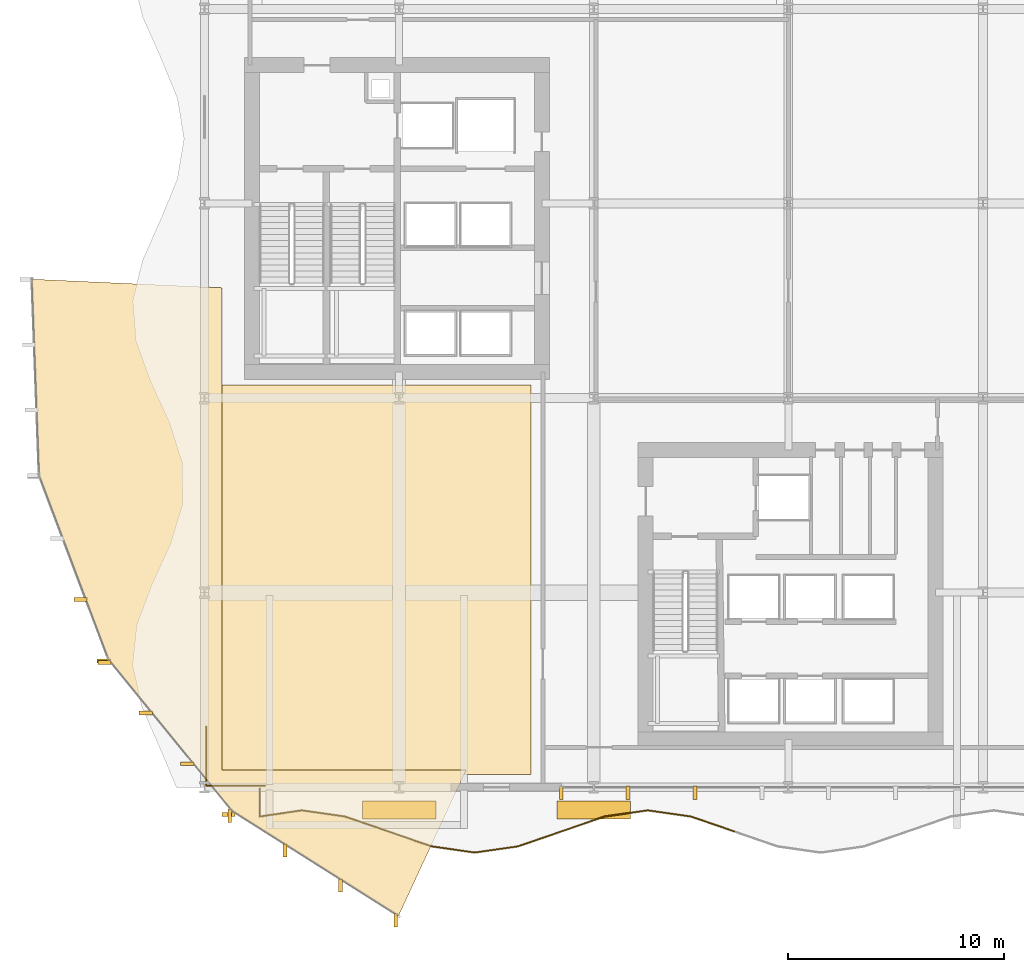
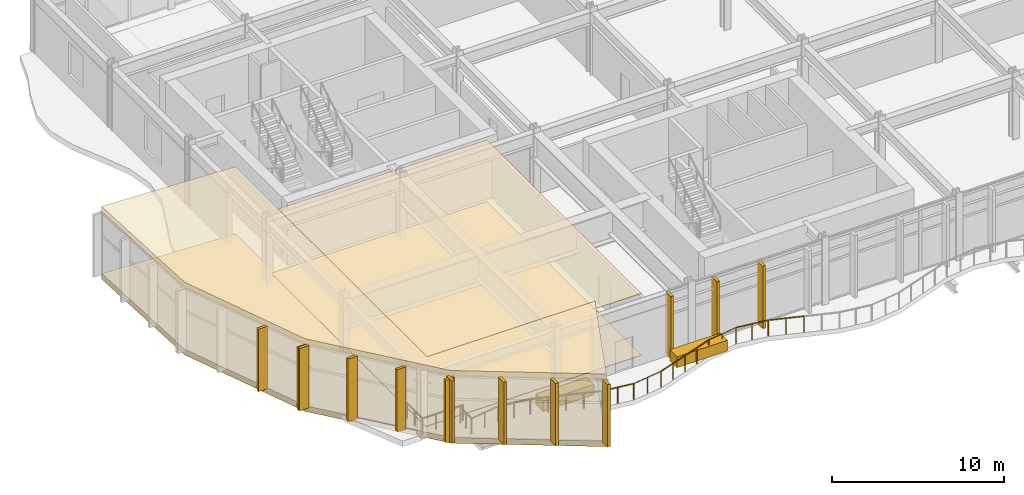
# One storey, part 24 of 31: 19 coverings, 14 railings.
"""IFC4 building model written with IfcOpenShell, lengths in metres."""

from ifc_helpers import new_model, si_unit, direction, frame, origin, origin_2d, place, context, subcontext, project, spatial, polyline, rectangle, circle, outline, extrude, material, layer, layer_set, type_object, element, save


model = new_model("IFC4")

# Units and contexts
model_context = context("Model", 3, precision=1e-05, world=origin(), true_north=direction((0.0, 1.0)))
body_context = subcontext(model_context, "Body", "Model", "MODEL_VIEW")
ifc_project = project(units=[si_unit("LENGTHUNIT", "METRE"), si_unit("AREAUNIT", "SQUARE_METRE"), si_unit("VOLUMEUNIT", "CUBIC_METRE"), si_unit("PLANEANGLEUNIT", "RADIAN"), si_unit("MASSUNIT", "GRAM", prefix="KILO")], contexts=[model_context])

# Site, building, storey
site_placement = place(None, origin())
site = spatial("IfcSite", under=ifc_project, at=site_placement, CompositionType="ELEMENT")
building_placement = place(site_placement, origin())
building = spatial("IfcBuilding", under=site, at=building_placement, Name="Solvaryn Broadcast Tower", CompositionType="ELEMENT")
storey_placement = place(building_placement, frame((0.0, 0.0, 26.0)))
storey = spatial("IfcBuildingStorey", under=building, at=storey_placement, Name="L05", CompositionType="ELEMENT", Elevation=26.0)

# Coverings
ifc_material_1 = material(Name="Studio Acoustic Mineral-Wool Baffle Ceiling", Category="concrete")
ifc_layer_1 = layer(ifc_material_1, 0.06005859375)
ifc_layer_set_1 = layer_set([ifc_layer_1], Name="CV-CEIL-BAFFLE")
covering_type_1 = type_object("IfcCoveringType", Name="CV-CEIL-BAFFLE", PredefinedType="CEILING", material=ifc_layer_set_1)
covering_1_placement = place(storey_placement, frame((0.0, 0.0, 4.39990234375)))
element("IfcCovering", 1, at=covering_1_placement, inside=storey, type_object=covering_type_1, Name="L05 Room Acoustic Ceiling 1", PredefinedType="CEILING", context=body_context, shape_type="SweptSolid", body=[
    extrude(outline(polyline([(9.60009765625, 9.60009765625), (24.10009765625, 9.60009765625), (24.10009765625, 27.60009765625), (9.60009765625, 27.60009765625), (9.60009765625, 9.60009765625)])), origin(), (0.0, 0.0, 1.0), 0.0400390625),
])
ifc_material_2 = material(Name="Isolated Broadcast Studio Floating Acoustic Floor", Category="concrete")
ifc_layer_2 = layer(ifc_material_2, 0.080078125)
ifc_layer_set_2 = layer_set([ifc_layer_2], Name="CV-FLOOR-STUDIO")
covering_type_2 = type_object("IfcCoveringType", Name="CV-FLOOR-STUDIO", PredefinedType="FLOORING", material=ifc_layer_set_2)
covering_2_placement = place(storey_placement, origin())
element("IfcCovering", 2, at=covering_2_placement, inside=storey, type_object=covering_type_2, Name="L05 Room Acoustic Floor Finish 1", PredefinedType="FLOORING", context=body_context, shape_type="SweptSolid", body=[
    extrude(outline(polyline([(9.60009765625, 9.60009765625), (24.10009765625, 9.60009765625), (24.10009765625, 27.60009765625), (9.60009765625, 27.60009765625), (9.60009765625, 9.60009765625)])), origin(), (0.0, 0.0, 1.0), 0.050048828125),
])
ifc_material_3 = material(Name="Glazed Architectural Terracotta Rainscreen Cladding", Category="masonry")
ifc_layer_3 = layer(ifc_material_3, 0.280029296875)
ifc_layer_set_3 = layer_set([ifc_layer_3], Name="CV-TC-CLAD")
covering_type_3 = type_object("IfcCoveringType", Name="CV-TC-CLAD", PredefinedType="CLADDING", material=ifc_layer_set_3)
for number, where, z_axis, x_axis, name in (
    (3, (18.0, 7.949951171875, 0.0), (0.0, 0.0, 1.0), (1.0, 0.0, 0.0), "L05 Sky-Garden Planter Bed 1"),
    (4, (27.0, 7.949951171875, 0.0), (0.0, 0.0, 1.0), (1.0, 0.0, 0.0), "L05 Sky-Garden Planter Bed 2"),
):
    element("IfcCovering", number, at=place(storey_placement, frame(where, z_axis=z_axis, x_axis=x_axis)), inside=storey, type_object=covering_type_3, Name=name, PredefinedType="CLADDING", context=body_context, shape_type="SweptSolid", body=[
        extrude(rectangle(XDim=3.39990234375, YDim=0.85009765625, at=origin_2d()), origin(), (0.0, 0.0, 1.0), 0.760009765625),
    ])
ifc_material_4 = material(Name="Extruded Architectural Terracotta Fin", Category="masonry")
ifc_layer_4 = layer(ifc_material_4, 0.179931640625)
ifc_layer_set_4 = layer_set([ifc_layer_4], Name="CV-TC-FIN")
covering_type_4 = type_object("IfcCoveringType", Name="CV-TC-FIN", PredefinedType="USERDEFINED", material=ifc_layer_set_4)
for number, where, z_axis, x_axis, name in (
    (5, (31.681884765625, 8.75, 0.0), (0.0, 0.0, 1.0), (1.0, 0.0, 0.0), "L05 Terracotta Vertical Fin FIN-POD-L05-S1-09"),
    (6, (28.5908203125, 8.75, 0.0), (0.0, 0.0, 1.0), (1.0, 0.0, 0.0), "L05 Terracotta Vertical Fin FIN-POD-L05-S1-10"),
    (7, (25.5, 8.75, 0.0), (0.0, 0.0, 1.0), (1.0, 0.0, 0.0), "L05 Terracotta Vertical Fin FIN-POD-L05-S1-11"),
):
    element("IfcCovering", number, at=place(storey_placement, frame(where, z_axis=z_axis, x_axis=x_axis)), inside=storey, type_object=covering_type_4, Name=name, ObjectType="FIN", PredefinedType="USERDEFINED", context=body_context, shape_type="SweptSolid", body=[
        extrude(rectangle(XDim=0.179931640625, YDim=0.6201171875, at=origin_2d()), origin(), (0.0, 0.0, 1.0), 4.43994140625),
    ])
for number, where, z_axis, x_axis, name in (
    (8, (3.26708984375, 17.67822265625, 0.0), (0.0, 0.0, 1.0), (1.0, 0.0, 0.0), "L05 Terracotta Vertical Fin FIN-POD-L05-DC2-02"),
    (9, (4.3349609375, 14.846923828125, 0.0), (0.0, 0.0, 1.0), (1.0, 0.0, 0.0), "L05 Terracotta Vertical Fin FIN-POD-L05-DC2-03"),
    (10, (4.3740234375, 14.780029296875, 0.0), (0.0, 0.0, 1.0), (1.0, 0.0, 0.0), "L05 Terracotta Vertical Fin FIN-POD-L05-DC3-00"),
    (11, (6.285888671875, 12.434814453125, 0.0), (0.0, 0.0, 1.0), (1.0, 0.0, 0.0), "L05 Terracotta Vertical Fin FIN-POD-L05-DC3-01"),
    (12, (8.197998046875, 10.08935546875, 0.0), (0.0, 0.0, 1.0), (1.0, 0.0, 0.0), "L05 Terracotta Vertical Fin FIN-POD-L05-DC3-02"),
    (13, (10.110107421875, 7.743896484375, 0.0), (0.0, 0.0, 1.0), (1.0, 0.0, 0.0), "L05 Terracotta Vertical Fin FIN-POD-L05-DC3-03"),
):
    element("IfcCovering", number, at=place(storey_placement, frame(where, z_axis=z_axis, x_axis=x_axis)), inside=storey, type_object=covering_type_4, Name=name, ObjectType="FIN", PredefinedType="USERDEFINED", context=body_context, shape_type="SweptSolid", body=[
        extrude(rectangle(XDim=0.6201171875, YDim=0.179931640625, at=origin_2d()), origin(), (0.0, 0.0, 1.0), 4.43994140625),
    ])
for number, where, z_axis, x_axis, name in (
    (14, (10.16796875, 7.693115234375, 0.0), (0.0, 0.0, 1.0), (1.0, 0.0, 0.0), "L05 Terracotta Vertical Fin FIN-POD-L05-DC4-00"),
    (15, (12.72607421875, 6.07666015625, 0.0), (0.0, 0.0, 1.0), (1.0, 0.0, 0.0), "L05 Terracotta Vertical Fin FIN-POD-L05-DC4-01"),
    (16, (15.283935546875, 4.460205078125, 0.0), (0.0, 0.0, 1.0), (1.0, 0.0, 0.0), "L05 Terracotta Vertical Fin FIN-POD-L05-DC4-02"),
    (17, (17.842041015625, 2.843994140625, 0.0), (0.0, 0.0, 1.0), (1.0, 0.0, 0.0), "L05 Terracotta Vertical Fin FIN-POD-L05-DC4-03"),
):
    element("IfcCovering", number, at=place(storey_placement, frame(where, z_axis=z_axis, x_axis=x_axis)), inside=storey, type_object=covering_type_4, Name=name, ObjectType="FIN", PredefinedType="USERDEFINED", context=body_context, shape_type="SweptSolid", body=[
        extrude(rectangle(XDim=0.179931640625, YDim=0.6201171875, at=origin_2d()), origin(), (0.0, 0.0, 1.0), 4.43994140625),
    ])
ifc_material_5 = material(Name="Sculpted Architectural Terracotta Wave Fascia", Category="masonry")
ifc_layer_5 = layer(ifc_material_5, 0.340087890625)
ifc_layer_set_5 = layer_set([ifc_layer_5], Name="CV-WAVE-TRAY")
covering_type_5 = type_object("IfcCoveringType", Name="CV-WAVE-TRAY", PredefinedType="CLADDING", material=ifc_layer_set_5)
covering_3_placement = place(storey_placement, frame((0.0, 0.0, -0.340087890625)))
element("IfcCovering", 18, at=covering_3_placement, inside=storey, type_object=covering_type_5, Name="L05 Curved Studio Drum Deck Apron", PredefinedType="CLADDING", context=body_context, shape_type="SweptSolid", body=[
    extrude(outline(polyline([(9.800048828125, 32.10009765625), (1.01806640625, 32.498046875), (1.35595703125, 23.426025390625), (4.56005859375, 14.931884765625), (10.2958984375, 7.89599609375), (17.969970703125, 3.047119140625), (21.10009765625, 9.800048828125), (9.800048828125, 9.800048828125), (9.800048828125, 32.10009765625)])), origin(), (0.0, 0.0, 1.0), 0.380126953125),
])
covering_4_placement = place(storey_placement, frame((0.0, 0.0, 4.39990234375)))
element("IfcCovering", 19, at=covering_4_placement, inside=storey, type_object=covering_type_5, Name="L05 Curved Studio Drum Ceiling Soffit", PredefinedType="CLADDING", context=body_context, shape_type="SweptSolid", body=[
    extrude(outline(polyline([(9.800048828125, 32.10009765625), (1.01806640625, 32.498046875), (1.35595703125, 23.426025390625), (4.56005859375, 14.931884765625), (10.2958984375, 7.89599609375), (17.969970703125, 3.047119140625), (21.10009765625, 9.800048828125), (9.800048828125, 9.800048828125), (9.800048828125, 32.10009765625)])), origin(), (0.0, 0.0, 1.0), 0.420166015625),
])

# Railings
ifc_material_6 = material(Name="Stainless Steel and Laminated Glass Guard", Category="steel")
railing_type = type_object("IfcRailingType", Name="RL-TER-1150", PredefinedType="BALUSTRADE", material=ifc_material_6)
railing_1_placement = place(storey_placement, frame((9.080078125, 11.800048828125, 0.0)))
element("IfcRailing", 20, at=railing_1_placement, inside=storey, type_object=railing_type, Name="L05 Podium SW Corner Balustrade 1", PredefinedType="BALUSTRADE", context=body_context, shape_type="SweptSolid", body=[
    extrude(circle(Radius=0.02392578125, at=origin_2d()), frame((0.0, 0.0, 1.1259765625), z_axis=(0.0, -1.0, 0.0), x_axis=(1.0, 0.0, 0.0)), (0.0, 0.0, 1.0), 2.719970703125),
    extrude(circle(Radius=0.02099609375, at=origin_2d()), origin(), (0.0, 0.0, 1.0), 1.101806640625),
    extrude(circle(Radius=0.02099609375, at=origin_2d()), frame((0.0, -0.90673828125, 0.0)), (0.0, 0.0, 1.0), 1.101806640625),
    extrude(circle(Radius=0.02099609375, at=origin_2d()), frame((0.0, -1.813232421875, 0.0)), (0.0, 0.0, 1.0), 1.101806640625),
    extrude(circle(Radius=0.02099609375, at=origin_2d()), frame((0.0, -2.719970703125, 0.0)), (0.0, 0.0, 1.0), 1.101806640625),
])
railing_2_placement = place(storey_placement, frame((9.080078125, 9.080078125, 0.0)))
element("IfcRailing", 21, at=railing_2_placement, inside=storey, type_object=railing_type, Name="L05 Podium SW Corner Balustrade 2", PredefinedType="BALUSTRADE", context=body_context, shape_type="SweptSolid", body=[
    extrude(circle(Radius=0.02392578125, at=origin_2d()), frame((0.0, 0.0, 1.1259765625), z_axis=(1.0, 0.0, 0.0), x_axis=(0.0, 1.0, 0.0)), (0.0, 0.0, 1.0), 2.719970703125),
    extrude(circle(Radius=0.02099609375, at=origin_2d()), origin(), (0.0, 0.0, 1.0), 1.101806640625),
    extrude(circle(Radius=0.02099609375, at=origin_2d()), frame((0.90673828125, 0.0, 0.0)), (0.0, 0.0, 1.0), 1.101806640625),
    extrude(circle(Radius=0.02099609375, at=origin_2d()), frame((1.813232421875, 0.0, 0.0)), (0.0, 0.0, 1.0), 1.101806640625),
    extrude(circle(Radius=0.02099609375, at=origin_2d()), frame((2.719970703125, 0.0, 0.0)), (0.0, 0.0, 1.0), 1.101806640625),
])
railing_3_placement = place(storey_placement, frame((11.56005859375, 8.93994140625, 0.0)))
element("IfcRailing", 22, at=railing_3_placement, inside=storey, type_object=railing_type, Name="L05 Terrace Guard TS05S-1", PredefinedType="BALUSTRADE", context=body_context, shape_type="SweptSolid", body=[
    extrude(circle(Radius=0.02392578125, at=origin_2d()), frame((0.0, 0.0, 1.1259765625), z_axis=(0.0, -1.0, 0.0), x_axis=(1.0, 0.0, 0.0)), (0.0, 0.0, 1.0), 1.29052734375),
    extrude(circle(Radius=0.02099609375, at=origin_2d()), origin(), (0.0, 0.0, 1.0), 1.101806640625),
    extrude(circle(Radius=0.02099609375, at=origin_2d()), frame((0.0, -0.645263671875, 0.0)), (0.0, 0.0, 1.0), 1.101806640625),
    extrude(circle(Radius=0.02099609375, at=origin_2d()), frame((0.0, -1.29052734375, 0.0)), (0.0, 0.0, 1.0), 1.101806640625),
])
railing_4_placement = place(storey_placement, frame((11.56005859375, 7.6494140625, 0.0)))
element("IfcRailing", 23, at=railing_4_placement, inside=storey, type_object=railing_type, Name="L05 Terrace Guard TS05S-2", PredefinedType="BALUSTRADE", context=body_context, shape_type="SweptSolid", body=[
    extrude(circle(Radius=0.02392578125, at=origin_2d()), frame((0.0, 0.0, 1.1259765625), z_axis=(0.989332762862, 0.145673210741, 0.0), x_axis=(-0.145673210741, 0.989332762862, 0.0)), (0.0, 0.0, 1.0), 1.9609375),
    extrude(circle(Radius=0.02099609375, at=origin_2d()), origin(), (0.0, 0.0, 1.0), 1.101806640625),
    extrude(circle(Radius=0.02099609375, at=origin_2d()), frame((0.969970703125, 0.142822265625, 0.0)), (0.0, 0.0, 1.0), 1.101806640625),
    extrude(circle(Radius=0.02099609375, at=origin_2d()), frame((1.93994140625, 0.28564453125, 0.0)), (0.0, 0.0, 1.0), 1.101806640625),
])
railing_5_placement = place(storey_placement, frame((13.5, 7.93505859375, 0.0)))
element("IfcRailing", 24, at=railing_5_placement, inside=storey, type_object=railing_type, Name="L05 Terrace Guard TS05S-3", PredefinedType="BALUSTRADE", context=body_context, shape_type="SweptSolid", body=[
    extrude(circle(Radius=0.02392578125, at=origin_2d()), frame((0.0, 0.0, 1.1259765625), z_axis=(0.989954326844, -0.141387519825, 0.0), x_axis=(0.141387519825, 0.989954326844, 0.0)), (0.0, 0.0, 1.0), 2.020263671875),
    extrude(circle(Radius=0.02099609375, at=origin_2d()), origin(), (0.0, 0.0, 1.0), 1.101806640625),
    extrude(circle(Radius=0.02099609375, at=origin_2d()), frame((1.0, -0.142822265625, 0.0)), (0.0, 0.0, 1.0), 1.101806640625),
    extrude(circle(Radius=0.02099609375, at=origin_2d()), frame((2.0, -0.28564453125, 0.0)), (0.0, 0.0, 1.0), 1.101806640625),
])
for number, where, name in (
    (25, (15.5, 7.6494140625, 0.0), "L05 Terrace Guard TS05S-4"),
    (26, (17.5, 6.9599609375, 0.0), "L05 Terrace Guard TS05S-5"),
):
    element("IfcRailing", number, at=place(storey_placement, frame(where)), inside=storey, type_object=railing_type, Name=name, PredefinedType="BALUSTRADE", context=body_context, shape_type="SweptSolid", body=[
        extrude(circle(Radius=0.02392578125, at=origin_2d()), frame((0.0, 0.0, 1.1259765625), z_axis=(0.945402411711, -0.325905323568, 0.0), x_axis=(0.325905323568, 0.945402411711, 0.0)), (0.0, 0.0, 1.0), 2.115478515625),
        extrude(circle(Radius=0.02099609375, at=origin_2d()), origin(), (0.0, 0.0, 1.0), 1.101806640625),
        extrude(circle(Radius=0.02099609375, at=origin_2d()), frame((1.0, -0.3447265625, 0.0)), (0.0, 0.0, 1.0), 1.101806640625),
        extrude(circle(Radius=0.02099609375, at=origin_2d()), frame((2.0, -0.689453125, 0.0)), (0.0, 0.0, 1.0), 1.101806640625),
    ])
railing_6_placement = place(storey_placement, frame((19.5, 6.2705078125, 0.0)))
element("IfcRailing", 27, at=railing_6_placement, inside=storey, type_object=railing_type, Name="L05 Terrace Guard TS05S-6", PredefinedType="BALUSTRADE", context=body_context, shape_type="SweptSolid", body=[
    extrude(circle(Radius=0.02392578125, at=origin_2d()), frame((0.0, 0.0, 1.1259765625), z_axis=(0.989971234249, -0.141269088481, 0.0), x_axis=(0.141269088481, 0.989971234249, 0.0)), (0.0, 0.0, 1.0), 2.020263671875),
    extrude(circle(Radius=0.02099609375, at=origin_2d()), origin(), (0.0, 0.0, 1.0), 1.101806640625),
    extrude(circle(Radius=0.02099609375, at=origin_2d()), frame((1.0, -0.142578125, 0.0)), (0.0, 0.0, 1.0), 1.101806640625),
    extrude(circle(Radius=0.02099609375, at=origin_2d()), frame((2.0, -0.285400390625, 0.0)), (0.0, 0.0, 1.0), 1.101806640625),
])
railing_7_placement = place(storey_placement, frame((21.5, 5.985107421875, 0.0)))
element("IfcRailing", 28, at=railing_7_placement, inside=storey, type_object=railing_type, Name="L05 Terrace Guard TS05S-7", PredefinedType="BALUSTRADE", context=body_context, shape_type="SweptSolid", body=[
    extrude(circle(Radius=0.02392578125, at=origin_2d()), frame((0.0, 0.0, 1.1259765625), z_axis=(0.989971234249, 0.141269088481, 0.0), x_axis=(-0.141269088481, 0.989971234249, 0.0)), (0.0, 0.0, 1.0), 2.020263671875),
    extrude(circle(Radius=0.02099609375, at=origin_2d()), origin(), (0.0, 0.0, 1.0), 1.101806640625),
    extrude(circle(Radius=0.02099609375, at=origin_2d()), frame((1.0, 0.142578125, 0.0)), (0.0, 0.0, 1.0), 1.101806640625),
    extrude(circle(Radius=0.02099609375, at=origin_2d()), frame((2.0, 0.285400390625, 0.0)), (0.0, 0.0, 1.0), 1.101806640625),
])
for number, where, name in (
    (29, (23.5, 6.2705078125, 0.0), "L05 Terrace Guard TS05S-8"),
    (30, (25.5, 6.9599609375, 0.0), "L05 Terrace Guard TS05S-9"),
):
    element("IfcRailing", number, at=place(storey_placement, frame(where)), inside=storey, type_object=railing_type, Name=name, PredefinedType="BALUSTRADE", context=body_context, shape_type="SweptSolid", body=[
        extrude(circle(Radius=0.02392578125, at=origin_2d()), frame((0.0, 0.0, 1.1259765625), z_axis=(0.945402411711, 0.325905323568, 0.0), x_axis=(-0.325905323568, 0.945402411711, 0.0)), (0.0, 0.0, 1.0), 2.115478515625),
        extrude(circle(Radius=0.02099609375, at=origin_2d()), origin(), (0.0, 0.0, 1.0), 1.101806640625),
        extrude(circle(Radius=0.02099609375, at=origin_2d()), frame((1.0, 0.3447265625, 0.0)), (0.0, 0.0, 1.0), 1.101806640625),
        extrude(circle(Radius=0.02099609375, at=origin_2d()), frame((2.0, 0.689453125, 0.0)), (0.0, 0.0, 1.0), 1.101806640625),
    ])
railing_8_placement = place(storey_placement, frame((27.5, 7.6494140625, 0.0)))
element("IfcRailing", 31, at=railing_8_placement, inside=storey, type_object=railing_type, Name="L05 Terrace Guard TS05S-10", PredefinedType="BALUSTRADE", context=body_context, shape_type="SweptSolid", body=[
    extrude(circle(Radius=0.02392578125, at=origin_2d()), frame((0.0, 0.0, 1.1259765625), z_axis=(0.989954326844, 0.141387519825, 0.0), x_axis=(-0.141387519825, 0.989954326844, 0.0)), (0.0, 0.0, 1.0), 2.020263671875),
    extrude(circle(Radius=0.02099609375, at=origin_2d()), origin(), (0.0, 0.0, 1.0), 1.101806640625),
    extrude(circle(Radius=0.02099609375, at=origin_2d()), frame((1.0, 0.142822265625, 0.0)), (0.0, 0.0, 1.0), 1.101806640625),
    extrude(circle(Radius=0.02099609375, at=origin_2d()), frame((2.0, 0.28564453125, 0.0)), (0.0, 0.0, 1.0), 1.101806640625),
])
railing_9_placement = place(storey_placement, frame((29.5, 7.93505859375, 0.0)))
element("IfcRailing", 32, at=railing_9_placement, inside=storey, type_object=railing_type, Name="L05 Terrace Guard TS05S-11", PredefinedType="BALUSTRADE", context=body_context, shape_type="SweptSolid", body=[
    extrude(circle(Radius=0.02392578125, at=origin_2d()), frame((0.0, 0.0, 1.1259765625), z_axis=(0.989954326844, -0.141387519825, 0.0), x_axis=(0.141387519825, 0.989954326844, 0.0)), (0.0, 0.0, 1.0), 2.020263671875),
    extrude(circle(Radius=0.02099609375, at=origin_2d()), origin(), (0.0, 0.0, 1.0), 1.101806640625),
    extrude(circle(Radius=0.02099609375, at=origin_2d()), frame((1.0, -0.142822265625, 0.0)), (0.0, 0.0, 1.0), 1.101806640625),
    extrude(circle(Radius=0.02099609375, at=origin_2d()), frame((2.0, -0.28564453125, 0.0)), (0.0, 0.0, 1.0), 1.101806640625),
])
railing_10_placement = place(storey_placement, frame((31.5, 7.6494140625, 0.0)))
element("IfcRailing", 33, at=railing_10_placement, inside=storey, type_object=railing_type, Name="L05 Terrace Guard TS05S-12", PredefinedType="BALUSTRADE", context=body_context, shape_type="SweptSolid", body=[
    extrude(circle(Radius=0.02392578125, at=origin_2d()), frame((0.0, 0.0, 1.1259765625), z_axis=(0.945402411711, -0.325905323568, 0.0), x_axis=(0.325905323568, 0.945402411711, 0.0)), (0.0, 0.0, 1.0), 2.115478515625),
    extrude(circle(Radius=0.02099609375, at=origin_2d()), origin(), (0.0, 0.0, 1.0), 1.101806640625),
    extrude(circle(Radius=0.02099609375, at=origin_2d()), frame((1.0, -0.3447265625, 0.0)), (0.0, 0.0, 1.0), 1.101806640625),
    extrude(circle(Radius=0.02099609375, at=origin_2d()), frame((2.0, -0.689453125, 0.0)), (0.0, 0.0, 1.0), 1.101806640625),
])

save(model, "model.ifc")
